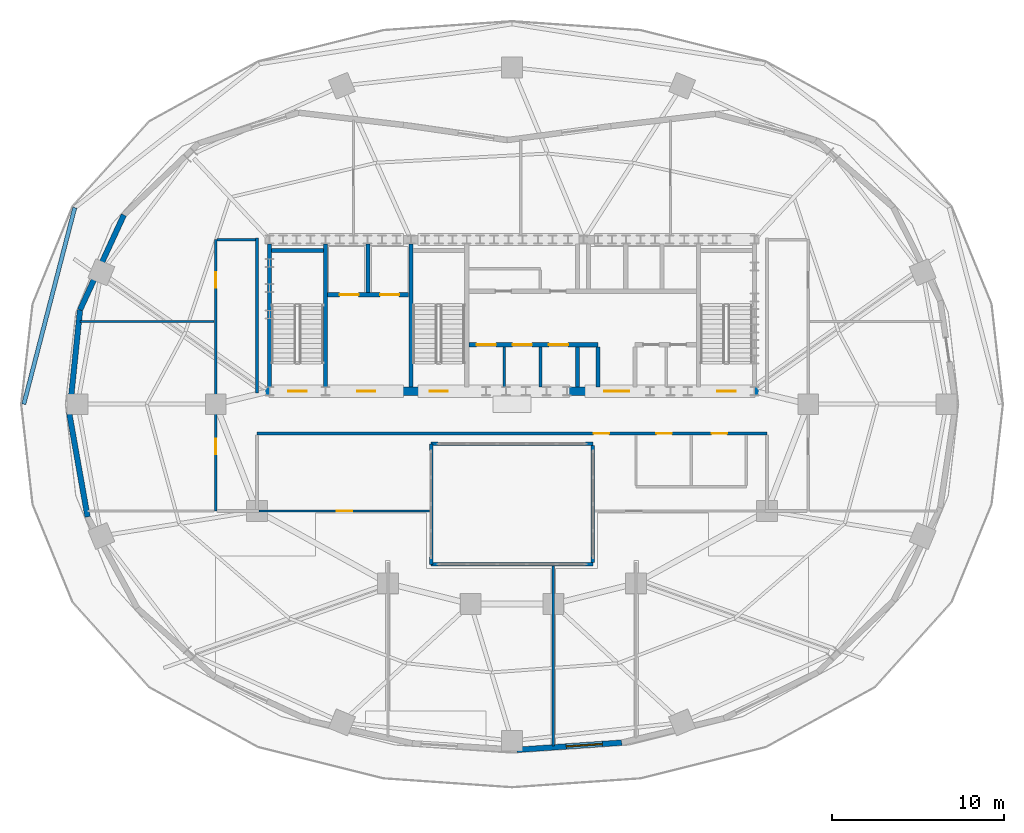
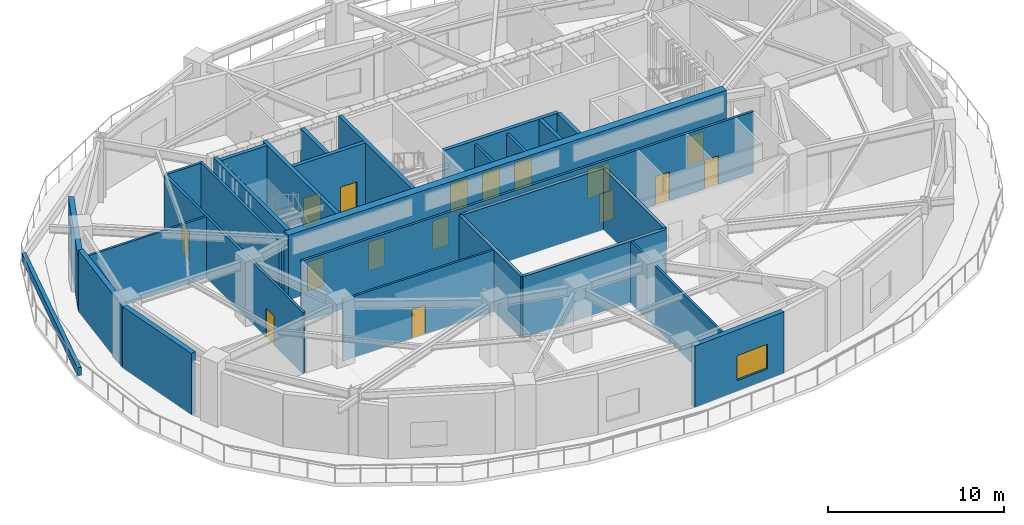
# One storey, part 6 of 11: 28 walls, 16 doors, 1 window, 17 openings.
"""IFC4 building model written with IfcOpenShell, lengths in metres."""

from ifc_helpers import new_model, si_unit, direction, frame, frame_2d, origin, place, context, subcontext, project, spatial, rectangle, extrude, material, layer, layer_set, type_object, element, fill, save


model = new_model("IFC4")

# Units and contexts
model_context = context("Model", 3, precision=1e-05, world=origin(), true_north=direction((0.0, 1.0)))
body_context = subcontext(model_context, "Body", "Model", "MODEL_VIEW")
ifc_project = project(units=[si_unit("LENGTHUNIT", "METRE"), si_unit("AREAUNIT", "SQUARE_METRE"), si_unit("VOLUMEUNIT", "CUBIC_METRE"), si_unit("PLANEANGLEUNIT", "RADIAN"), si_unit("MASSUNIT", "GRAM", prefix="KILO")], contexts=[model_context])

# Site, building, storey
site_placement = place(None, origin())
site = spatial("IfcSite", under=ifc_project, at=site_placement, CompositionType="ELEMENT")
building_placement = place(site_placement, origin())
building = spatial("IfcBuilding", under=site, at=building_placement, Name="Haldorwick Loom Tower", CompositionType="ELEMENT")
storey_placement = place(building_placement, frame((0.0, 0.0, 131.14990234375)))
storey = spatial("IfcBuildingStorey", under=building, at=storey_placement, Name="L35", CompositionType="ELEMENT", Elevation=131.14990234375)

# Walls
ifc_material_1 = material(Name="Pressed Clay Face Brick and Insulated Masonry Backup Assembly", Category="masonry")
ifc_layer_1 = layer(ifc_material_1, 0.320068359375, Name="Pressed Clay Face Brick and Insulated Masonry Backup Assembly", Category="masonry")
ifc_layer_set_1 = layer_set([ifc_layer_1], Name="Pressed Clay Face Brick and Insulated Masonry Backup Assembly")
wall_type_1 = type_object("IfcWallType", Name="ARC-WL-EXT320", PredefinedType="STANDARD", material=ifc_layer_set_1)
wall_1_placement = place(storey_placement, frame((13.472412109375, 36.982666015625, 0.0), z_axis=(0.0, 0.0, 1.0), x_axis=(-0.419545749689, -0.907734192326, 0.0)))
element("IfcWall", 1, at=wall_1_placement, inside=storey, type_object=wall_type_1, Name="L35 Brick Pier and Spandrel Wall 11", PredefinedType="STANDARD", context=body_context, shape_type="SweptSolid", body=[
    extrude(rectangle(XDim=6.064208984375, YDim=0.320068359375, at=frame_2d((3.0322265625, 0.0))), origin(), (0.0, 0.0, 1.0), 3.691162109375),
])
wall_2_placement = place(storey_placement, frame((10.92822265625, 31.47802734375, 0.0), z_axis=(0.0, 0.0, 1.0), x_axis=(-0.101915809111, -0.994793027646, 0.0)))
element("IfcWall", 2, at=wall_2_placement, inside=storey, type_object=wall_type_1, Name="L35 Brick Pier and Spandrel Wall 12", PredefinedType="STANDARD", context=body_context, shape_type="SweptSolid", body=[
    extrude(rectangle(XDim=6.082275390625, YDim=0.320068359375, at=frame_2d((3.041015625, 0.0))), origin(), (0.0, 0.0, 1.0), 4.260009765625),
])
wall_3_placement = place(storey_placement, frame((10.308349609375, 25.427490234375, 0.0), z_axis=(0.0, 0.0, 1.0), x_axis=(0.174320425513, -0.984688980973, 0.0)))
element("IfcWall", 3, at=wall_3_placement, inside=storey, type_object=wall_type_1, Name="L35 Brick Pier and Spandrel Wall 13", PredefinedType="STANDARD", context=body_context, shape_type="SweptSolid", body=[
    extrude(rectangle(XDim=6.064208984375, YDim=0.320068359375, at=frame_2d((3.0322265625, 0.0))), origin(), (0.0, 0.0, 1.0), 4.260009765625),
])

# Wall, opening, window
wall_4_placement = place(storey_placement, frame((36.286865234375, 5.935302734375, 0.0), z_axis=(0.0, 0.0, 1.0), x_axis=(0.997657363145, 0.068408959663, 0.0)))
wall_4 = element("IfcWall", 4, at=wall_4_placement, inside=storey, type_object=wall_type_1, Name="L35 Brick Pier and Spandrel Wall 19", PredefinedType="STANDARD", context=body_context, shape_type="SweptSolid", body=[
    extrude(rectangle(XDim=6.095458984375, YDim=0.320068359375, at=frame_2d((3.0478515625, 0.0))), origin(), (0.0, 0.0, 1.0), 4.260009765625),
])
opening_1_placement = place(wall_4_placement, frame((2.871826171875, 0.0, 0.75)))
opening_1 = element("IfcOpeningElement", 5, at=opening_1_placement, cuts=wall_4, Name="Opening W-04", PredefinedType="OPENING", context=body_context, shape_type="SweptSolid", body=[
    extrude(rectangle(XDim=2.10009765625, YDim=1.719970703125, at=frame_2d((1.050048828125, 0.85986328125))), frame((0.0, 0.169921875, 0.0), z_axis=(0.0, -1.0, 0.0), x_axis=(1.0, 0.0, 0.0)), (0.0, 0.0, 1.0), 0.340087890625),
])
ifc_material_2 = material(Name="Triple-Glazed Low-E Argon Insulated Glazing Unit", Category="glass")
window_type = type_object("IfcWindowType", Name="ARC-WIN-W210", PartitioningType="SINGLE_PANEL", PredefinedType="WINDOW", material=ifc_material_2)
window_placement = place(opening_1_placement, origin())
window = element("IfcWindow", 6, at=window_placement, inside=storey, type_object=window_type, Name="L35 Deep-Set Zone 7A Window 19", OverallHeight=1.719970703125, OverallWidth=2.10009765625, PartitioningType="SINGLE_PANEL", PredefinedType="WINDOW", context=body_context, shape_type="SweptSolid", body=[
    extrude(rectangle(XDim=2.10009765625, YDim=1.719970703125, at=frame_2d((1.050048828125, 0.85986328125))), frame((0.0, 0.030029296875, 0.0), z_axis=(0.0, -1.0, 0.0), x_axis=(1.0, 0.0, 0.0)), (0.0, 0.0, 1.0), 0.06005859375),
])
fill(opening_1, window)

# Wall, openings, doors
ifc_material_3 = material(Name="Fire-Rated Type X Gypsum Stud Assembly EI 60")
ifc_layer_2 = layer(ifc_material_3, 0.159912109375, Name="Fire-Rated Type X Gypsum Stud Assembly EI 60")
ifc_layer_set_2 = layer_set([ifc_layer_2], Name="Fire-Rated Type X Gypsum Stud Assembly EI 60")
wall_type_2 = type_object("IfcWallType", Name="ARC-WL-FIRE160", PredefinedType="PARTITIONING", material=ifc_layer_set_2)
wall_5_placement = place(storey_placement, frame((21.199951171875, 24.300048828125, 0.0), z_axis=(0.0, 0.0, 1.0), x_axis=(1.0, 0.0, 0.0)))
wall_5 = element("IfcWall", 7, at=wall_5_placement, inside=storey, type_object=wall_type_2, Name="L35 Interior Partition L35-CS", PredefinedType="PARTITIONING", context=body_context, shape_type="SweptSolid", body=[
    extrude(rectangle(XDim=29.60009765625, YDim=0.159912109375, at=frame_2d((14.800048828125, 0.0))), origin(), (0.0, 0.0, 1.0), 4.2451171875),
])
opening_2_placement = place(wall_5_placement, frame((19.5400390625, 0.0, 0.0)))
opening_2 = element("IfcOpeningElement", 8, at=opening_2_placement, cuts=wall_5, Name="Opening D-FD60A", PredefinedType="OPENING", context=body_context, shape_type="SweptSolid", body=[
    extrude(rectangle(XDim=0.89990234375, YDim=2.0, at=frame_2d((0.449951171875, 1.0))), frame((0.0, 0.08984375, 0.0), z_axis=(0.0, -1.0, 0.0), x_axis=(1.0, 0.0, 0.0)), (0.0, 0.0, 1.0), 0.179931640625),
])
opening_3_placement = place(wall_5_placement, frame((26.388916015625, 0.0, 0.0)))
opening_3 = element("IfcOpeningElement", 9, at=opening_3_placement, cuts=wall_5, Name="Opening D-FD60A", PredefinedType="OPENING", context=body_context, shape_type="SweptSolid", body=[
    extrude(rectangle(XDim=0.89990234375, YDim=2.0, at=frame_2d((0.449951171875, 1.0))), frame((0.0, 0.08984375, 0.0), z_axis=(0.0, -1.0, 0.0), x_axis=(1.0, 0.0, 0.0)), (0.0, 0.0, 1.0), 0.179931640625),
])
opening_4_placement = place(wall_5_placement, frame((23.185791015625, 0.0, 0.0)))
opening_4 = element("IfcOpeningElement", 10, at=opening_4_placement, cuts=wall_5, Name="Opening D-FD60A", PredefinedType="OPENING", context=body_context, shape_type="SweptSolid", body=[
    extrude(rectangle(XDim=0.89990234375, YDim=2.0, at=frame_2d((0.449951171875, 1.0))), frame((0.0, 0.08984375, 0.0), z_axis=(0.0, -1.0, 0.0), x_axis=(1.0, 0.0, 0.0)), (0.0, 0.0, 1.0), 0.179931640625),
])
ifc_material_4 = material(Name="Hollow Steel Fire Door Assembly", Category="steel")
door_type_1 = type_object("IfcDoorType", Name="ARC-DR-FD60-90", OperationType="NOTDEFINED", PredefinedType="DOOR", material=ifc_material_4)
door_1_placement = place(opening_2_placement, origin())
door_1 = element("IfcDoor", 11, at=door_1_placement, inside=storey, type_object=door_type_1, Name="L35 L35 Central Transfer Corridor to Community Yoga Hall 3 Door", OperationType="SINGLE_SWING_RIGHT", OverallHeight=2.0, OverallWidth=0.89990234375, PredefinedType="DOOR", context=body_context, shape_type="SweptSolid", body=[
    extrude(rectangle(XDim=0.89990234375, YDim=2.0, at=frame_2d((0.449951171875, 1.0))), frame((0.0, 0.02490234375, 0.0), z_axis=(0.0, -1.0, 0.0), x_axis=(1.0, 0.0, 0.0)), (0.0, 0.0, 1.0), 0.050048828125),
])
fill(opening_2, door_1)
door_2_placement = place(opening_3_placement, origin())
door_2 = element("IfcDoor", 12, at=door_2_placement, inside=storey, type_object=door_type_1, Name="L35 L35 Central Transfer Corridor to Accessible WC Door", OperationType="SINGLE_SWING_LEFT", OverallHeight=2.0, OverallWidth=0.89990234375, PredefinedType="DOOR", context=body_context, shape_type="SweptSolid", body=[
    extrude(rectangle(XDim=0.89990234375, YDim=2.0, at=frame_2d((0.449951171875, 1.0))), frame((0.0, 0.02490234375, 0.0), z_axis=(0.0, -1.0, 0.0), x_axis=(1.0, 0.0, 0.0)), (0.0, 0.0, 1.0), 0.050048828125),
])
fill(opening_3, door_2)
door_3_placement = place(opening_4_placement, origin())
door_3 = element("IfcDoor", 13, at=door_3_placement, inside=storey, type_object=door_type_1, Name="L35 L35 Central Transfer Corridor to Public Washroom Door", OperationType="SINGLE_SWING_RIGHT", OverallHeight=2.0, OverallWidth=0.89990234375, PredefinedType="DOOR", context=body_context, shape_type="SweptSolid", body=[
    extrude(rectangle(XDim=0.89990234375, YDim=2.0, at=frame_2d((0.449951171875, 1.0))), frame((0.0, 0.02490234375, 0.0), z_axis=(0.0, -1.0, 0.0), x_axis=(1.0, 0.0, 0.0)), (0.0, 0.0, 1.0), 0.050048828125),
])
fill(opening_4, door_3)

wall_6_placement = place(storey_placement, frame((18.800048828125, 19.800048828125, 0.0), z_axis=(0.0, 0.0, 1.0), x_axis=(0.0, 1.0, 0.0)))
wall_6 = element("IfcWall", 14, at=wall_6_placement, inside=storey, type_object=wall_type_2, Name="L35 Interior Partition L35-CW0", PredefinedType="PARTITIONING", context=body_context, shape_type="SweptSolid", body=[
    extrude(rectangle(XDim=15.75, YDim=0.159912109375, at=frame_2d((7.875, 0.0))), origin(), (0.0, 0.0, 1.0), 4.2451171875),
])
opening_5_placement = place(wall_6_placement, frame((3.288818359375, 0.0, 0.0)))
opening_5 = element("IfcOpeningElement", 15, at=opening_5_placement, cuts=wall_6, Name="Opening D-FD60A", PredefinedType="OPENING", context=body_context, shape_type="SweptSolid", body=[
    extrude(rectangle(XDim=0.89990234375, YDim=2.0, at=frame_2d((0.449951171875, 1.0))), frame((0.0, 0.08984375, 0.0), z_axis=(0.0, -1.0, 0.0), x_axis=(1.0, 0.0, 0.0)), (0.0, 0.0, 1.0), 0.179931640625),
])
opening_6_placement = place(wall_6_placement, frame((12.970703125, 0.0, 0.0)))
opening_6 = element("IfcOpeningElement", 16, at=opening_6_placement, cuts=wall_6, Name="Opening D-FD60A", PredefinedType="OPENING", context=body_context, shape_type="SweptSolid", body=[
    extrude(rectangle(XDim=0.89990234375, YDim=2.0, at=frame_2d((0.449951171875, 1.0))), frame((0.0, 0.08984375, 0.0), z_axis=(0.0, -1.0, 0.0), x_axis=(1.0, 0.0, 0.0)), (0.0, 0.0, 1.0), 0.179931640625),
])
door_4_placement = place(opening_5_placement, frame((0.89990234375, 0.0, 0.0), z_axis=(0.0, 0.0, 1.0), x_axis=(-1.0, 0.0, 0.0)))
door_4 = element("IfcDoor", 17, at=door_4_placement, inside=storey, type_object=door_type_1, Name="L35 Preventive Health Classroom 7 to L35 Central Transfer Corridor Door", OperationType="SINGLE_SWING_LEFT", OverallHeight=2.0, OverallWidth=0.89990234375, PredefinedType="DOOR", context=body_context, shape_type="SweptSolid", body=[
    extrude(rectangle(XDim=0.89990234375, YDim=2.0, at=frame_2d((0.449951171875, 1.0))), frame((0.0, 0.02490234375, 0.0), z_axis=(0.0, -1.0, 0.0), x_axis=(1.0, 0.0, 0.0)), (0.0, 0.0, 1.0), 0.050048828125),
])
fill(opening_5, door_4)
door_5_placement = place(opening_6_placement, frame((0.89990234375, 0.0, 0.0), z_axis=(0.0, 0.0, 1.0), x_axis=(-1.0, 0.0, 0.0)))
door_5 = element("IfcDoor", 18, at=door_5_placement, inside=storey, type_object=door_type_1, Name="L35 Wellness Consulting Office 10 to L35 Central Transfer Corridor Door", OperationType="SINGLE_SWING_LEFT", OverallHeight=2.0, OverallWidth=0.89990234375, PredefinedType="DOOR", context=body_context, shape_type="SweptSolid", body=[
    extrude(rectangle(XDim=0.89990234375, YDim=2.0, at=frame_2d((0.449951171875, 1.0))), frame((0.0, 0.02490234375, 0.0), z_axis=(0.0, -1.0, 0.0), x_axis=(1.0, 0.0, 0.0)), (0.0, 0.0, 1.0), 0.050048828125),
])
fill(opening_6, door_5)

# Walls
wall_7_placement = place(storey_placement, frame((21.199951171875, 26.64990234375, 0.0), z_axis=(0.0, 0.0, 1.0), x_axis=(0.0, 1.0, 0.0)))
element("IfcWall", 19, at=wall_7_placement, inside=storey, type_object=wall_type_2, Name="L35 Interior Partition L35-CW2", PredefinedType="PARTITIONING", context=body_context, shape_type="SweptSolid", body=[
    extrude(rectangle(XDim=9.0, YDim=0.159912109375, at=frame_2d((4.5, 0.0))), origin(), (0.0, 0.0, 1.0), 4.2451171875),
])
wall_8_placement = place(storey_placement, frame((18.883056640625, 35.550048828125, 0.0), z_axis=(0.0, 0.0, 1.0), x_axis=(1.0, 0.0, 0.0)))
element("IfcWall", 20, at=wall_8_placement, inside=storey, type_object=wall_type_2, Name="L35 Interior Partition L35-CWN", PredefinedType="PARTITIONING", context=body_context, shape_type="SweptSolid", body=[
    extrude(rectangle(XDim=2.23388671875, YDim=0.159912109375, at=frame_2d((1.116943359375, 0.0))), origin(), (0.0, 0.0, 1.0), 4.2451171875),
])
ifc_material_5 = material(Name="Fire-Rated Type X Gypsum Stud Assembly EI 120")
ifc_layer_3 = layer(ifc_material_5, 0.199951171875, Name="Fire-Rated Type X Gypsum Stud Assembly EI 120")
ifc_layer_set_3 = layer_set([ifc_layer_3], Name="Fire-Rated Type X Gypsum Stud Assembly EI 120")
wall_type_3 = type_object("IfcWallType", Name="ARC-WL-FIRE200", PredefinedType="PARTITIONING", material=ifc_layer_set_3)
for number, where, z_axis, x_axis, name in (
    (21, (31.300048828125, 23.699951171875, 0.0), (0.0, 0.0, 1.0), (1.0, 0.0, 0.0), "L35 Atrium Fire Wall"),
    (22, (40.699951171875, 16.699951171875, 0.0), (0.0, 0.0, 1.0), (-1.0, 0.0, 0.0), "L35 Atrium Fire Wall"),
):
    element("IfcWall", number, at=place(storey_placement, frame(where, z_axis=z_axis, x_axis=x_axis)), inside=storey, type_object=wall_type_3, Name=name, PredefinedType="PARTITIONING", context=body_context, shape_type="SweptSolid", body=[
        extrude(rectangle(XDim=9.39990234375, YDim=0.199951171875, at=frame_2d((4.699951171875, 0.0))), origin(), (0.0, 0.0, 1.0), 4.2451171875),
    ])
wall_9_placement = place(storey_placement, frame((31.300048828125, 16.699951171875, 0.0), z_axis=(0.0, 0.0, 1.0), x_axis=(0.0, 1.0, 0.0)))
element("IfcWall", 23, at=wall_9_placement, inside=storey, type_object=wall_type_3, Name="L35 Atrium Fire Wall", PredefinedType="PARTITIONING", context=body_context, shape_type="SweptSolid", body=[
    extrude(rectangle(XDim=7.0, YDim=0.199951171875, at=frame_2d((3.5, 0.0))), origin(), (0.0, 0.0, 1.0), 4.2451171875),
])
wall_10_placement = place(storey_placement, frame((40.699951171875, 23.596923828125, 0.0), z_axis=(0.0, 0.0, 1.0), x_axis=(0.0, -1.0, 0.0)))
element("IfcWall", 24, at=wall_10_placement, inside=storey, type_object=wall_type_3, Name="L35 Atrium Fire Wall", PredefinedType="PARTITIONING", context=body_context, shape_type="SweptSolid", body=[
    extrude(rectangle(XDim=6.7939453125, YDim=0.199951171875, at=frame_2d((3.39697265625, 0.0))), origin(), (0.0, 0.0, 1.0), 4.2451171875),
])
ifc_layer_4 = layer(ifc_material_1, 0.239990234375, Name="Pressed Clay Face Brick and Insulated Masonry Backup Assembly", Category="masonry")
ifc_layer_set_4 = layer_set([ifc_layer_4], Name="Pressed Clay Face Brick and Insulated Masonry Backup Assembly")
wall_type_4 = type_object("IfcWallType", Name="ARC-WL-PARAPET240", PredefinedType="PARAPET", material=ifc_layer_set_4)
wall_11_placement = place(storey_placement, frame((7.663818359375, 26.0, 0.0), z_axis=(0.0, 0.0, 1.0), x_axis=(0.251115299116, 0.967957182188, 0.0)))
element("IfcWall", 25, at=wall_11_placement, inside=storey, type_object=wall_type_4, Name="L35 Terrace Masonry Parapet 1", PredefinedType="PARAPET", context=body_context, shape_type="SweptSolid", body=[
    extrude(rectangle(XDim=11.784423828125, YDim=0.239990234375, at=frame_2d((5.89208984375, 0.0))), origin(), (0.0, 0.0, 1.0), 0.550048828125),
])
ifc_layer_5 = layer(ifc_material_3, 0.139892578125, Name="Fire-Rated Type X Gypsum Stud Assembly EI 60")
ifc_layer_set_5 = layer_set([ifc_layer_5], Name="Fire-Rated Type X Gypsum Stud Assembly EI 60")
wall_type_5 = type_object("IfcWallType", Name="ARC-WL-PART140", PredefinedType="PARTITIONING", material=ifc_layer_set_5)
wall_12_placement = place(storey_placement, frame((38.39990234375, 6.1455078125, 0.0), z_axis=(0.0, 0.0, 1.0), x_axis=(0.0, 1.0, 0.0)))
element("IfcWall", 26, at=wall_12_placement, inside=storey, type_object=wall_type_5, Name="L35 Interior Partition L35-S-1", PredefinedType="PARTITIONING", context=body_context, shape_type="SweptSolid", body=[
    extrude(rectangle(XDim=10.451416015625, YDim=0.139892578125, at=frame_2d((5.2255859375, 0.0))), origin(), (0.0, 0.0, 1.0), 4.2451171875),
])

# Wall, opening, door
wall_13_placement = place(storey_placement, frame((21.320068359375, 19.800048828125, 0.0), z_axis=(0.0, 0.0, 1.0), x_axis=(1.0, 0.0, 0.0)))
wall_13 = element("IfcWall", 27, at=wall_13_placement, inside=storey, type_object=wall_type_5, Name="L35 Interior Partition L35-WL-S", PredefinedType="PARTITIONING", context=body_context, shape_type="SweptSolid", body=[
    extrude(rectangle(XDim=9.876953125, YDim=0.139892578125, at=frame_2d((4.9384765625, 0.0))), origin(), (0.0, 0.0, 1.0), 4.2451171875),
])
opening_7_placement = place(wall_13_placement, frame((4.49853515625, 0.0, 0.0)))
opening_7 = element("IfcOpeningElement", 28, at=opening_7_placement, cuts=wall_13, Name="Opening D-FD60A", PredefinedType="OPENING", context=body_context, shape_type="SweptSolid", body=[
    extrude(rectangle(XDim=0.89990234375, YDim=2.0, at=frame_2d((0.449951171875, 1.0))), frame((0.0, 0.079833984375, 0.0), z_axis=(0.0, -1.0, 0.0), x_axis=(1.0, 0.0, 0.0)), (0.0, 0.0, 1.0), 0.159912109375),
])
door_6_placement = place(opening_7_placement, origin())
door_6 = element("IfcDoor", 29, at=door_6_placement, inside=storey, type_object=door_type_1, Name="L35 Community Yoga Hall 3 to Waist Terrace Fitness Gym 1 Door", OperationType="SINGLE_SWING_LEFT", OverallHeight=2.0, OverallWidth=0.89990234375, PredefinedType="DOOR", context=body_context, shape_type="SweptSolid", body=[
    extrude(rectangle(XDim=0.89990234375, YDim=2.0, at=frame_2d((0.449951171875, 1.0))), frame((0.0, 0.02490234375, 0.0), z_axis=(0.0, -1.0, 0.0), x_axis=(1.0, 0.0, 0.0)), (0.0, 0.0, 1.0), 0.050048828125),
])
fill(opening_7, door_6)

# Walls
wall_14_placement = place(storey_placement, frame((10.924072265625, 30.800048828125, 0.0), z_axis=(0.0, 0.0, 1.0), x_axis=(1.0, 0.0, 0.0)))
element("IfcWall", 30, at=wall_14_placement, inside=storey, type_object=wall_type_5, Name="L35 Interior Partition L35-WL-N", PredefinedType="PARTITIONING", context=body_context, shape_type="SweptSolid", body=[
    extrude(rectangle(XDim=7.79296875, YDim=0.139892578125, at=frame_2d((3.896484375, 0.0))), origin(), (0.0, 0.0, 1.0), 4.2451171875),
])
ifc_layer_6 = layer(ifc_material_5, 0.1650390625, Name="Fire-Rated Type X Gypsum Stud Assembly EI 120")
ifc_layer_set_6 = layer_set([ifc_layer_6], Name="Fire-Rated Type X Gypsum Stud Assembly EI 120")
wall_type_6 = type_object("IfcWallType", Name="ARC-WL-SHAFT160", PredefinedType="MOVABLE", material=ifc_layer_set_6)
for number, where, z_axis, x_axis, name in (
    (31, (35.550048828125, 27.0029296875, 0.0), (0.0, 0.0, 1.0), (0.0, 1.0, 0.0), "L35 Mid-Rise Hoistway Divider 1"),
    (32, (37.64990234375, 27.0029296875, 0.0), (0.0, 0.0, 1.0), (0.0, 1.0, 0.0), "L35 Mid-Rise Hoistway Divider 2"),
):
    element("IfcWall", number, at=place(storey_placement, frame(where, z_axis=z_axis, x_axis=x_axis)), inside=storey, type_object=wall_type_6, Name=name, PredefinedType="MOVABLE", context=body_context, shape_type="SweptSolid", body=[
        extrude(rectangle(XDim=2.323974609375, YDim=0.159912109375, at=frame_2d((1.162109375, 0.0))), origin(), (0.0, 0.0, 1.0), 4.2451171875),
    ])

# Wall, openings, doors
ifc_material_6 = material(Name="Concrete C60 (60 MPa)", Category="concrete")
ifc_layer_7 = layer(ifc_material_6, 0.5, Name="Concrete C60 (60 MPa)", Category="concrete")
ifc_layer_set_7 = layer_set([ifc_layer_7], Name="Concrete C60 (60 MPa)")
wall_type_7 = type_object("IfcWallType", Name="STR-WL-CORE500", PredefinedType="SHEAR", material=ifc_layer_set_7)
wall_15_placement = place(storey_placement, frame((21.64990234375, 26.75, 0.0), z_axis=(0.0, 0.0, 1.0), x_axis=(1.0, 0.0, 0.0)))
wall_15 = element("IfcWall", 33, at=wall_15_placement, inside=storey, type_object=wall_type_7, Name="L35 Core Shear Wall S", PredefinedType="SHEAR", context=body_context, shape_type="SweptSolid", body=[
    extrude(rectangle(XDim=28.7001953125, YDim=0.5, at=frame_2d((14.35009765625, 0.0))), origin(), (0.0, 0.0, 1.0), 4.5),
])
opening_8_placement = place(wall_15_placement, frame((1.375, 0.0, 0.0)))
opening_8 = element("IfcOpeningElement", 34, at=opening_8_placement, cuts=wall_15, Name="Opening D-FD60", PredefinedType="OPENING", context=body_context, shape_type="SweptSolid", body=[
    extrude(rectangle(XDim=1.050048828125, YDim=2.0, at=frame_2d((0.52490234375, 1.0))), frame((0.0, 0.260009765625, 0.0), z_axis=(0.0, -1.0, 0.0), x_axis=(1.0, 0.0, 0.0)), (0.0, 0.0, 1.0), 0.52001953125),
])
opening_9_placement = place(wall_15_placement, frame((5.375, 0.0, 0.0)))
opening_9 = element("IfcOpeningElement", 35, at=opening_9_placement, cuts=wall_15, Name="Opening D-FD60", PredefinedType="OPENING", context=body_context, shape_type="SweptSolid", body=[
    extrude(rectangle(XDim=1.050048828125, YDim=2.0, at=frame_2d((0.52490234375, 1.0))), frame((0.0, 0.260009765625, 0.0), z_axis=(0.0, -1.0, 0.0), x_axis=(1.0, 0.0, 0.0)), (0.0, 0.0, 1.0), 0.52001953125),
])
opening_10_placement = place(wall_15_placement, frame((9.574951171875, 0.0, 0.0)))
opening_10 = element("IfcOpeningElement", 36, at=opening_10_placement, cuts=wall_15, Name="Opening D-FD60", PredefinedType="OPENING", context=body_context, shape_type="SweptSolid", body=[
    extrude(rectangle(XDim=1.050048828125, YDim=2.0, at=frame_2d((0.52490234375, 1.0))), frame((0.0, 0.260009765625, 0.0), z_axis=(0.0, -1.0, 0.0), x_axis=(1.0, 0.0, 0.0)), (0.0, 0.0, 1.0), 0.52001953125),
])
opening_11_placement = place(wall_15_placement, frame((19.705078125, 0.0, 0.0)))
opening_11 = element("IfcOpeningElement", 37, at=opening_11_placement, cuts=wall_15, Name="Opening D-LB15", PredefinedType="OPENING", context=body_context, shape_type="SweptSolid", body=[
    extrude(rectangle(XDim=1.449951171875, YDim=2.0, at=frame_2d((0.72509765625, 1.0))), frame((0.0, 0.260009765625, 0.0), z_axis=(0.0, -1.0, 0.0), x_axis=(1.0, 0.0, 0.0)), (0.0, 0.0, 1.0), 0.52001953125),
])
opening_12_placement = place(wall_15_placement, frame((26.27490234375, 0.0, 0.0)))
opening_12 = element("IfcOpeningElement", 38, at=opening_12_placement, cuts=wall_15, Name="Opening D-FD60", PredefinedType="OPENING", context=body_context, shape_type="SweptSolid", body=[
    extrude(rectangle(XDim=1.050048828125, YDim=2.0, at=frame_2d((0.52490234375, 1.0))), frame((0.0, 0.260009765625, 0.0), z_axis=(0.0, -1.0, 0.0), x_axis=(1.0, 0.0, 0.0)), (0.0, 0.0, 1.0), 0.52001953125),
])
door_type_2 = type_object("IfcDoorType", Name="ARC-DR-FD60", OperationType="NOTDEFINED", PredefinedType="DOOR", material=ifc_material_4)
door_7_placement = place(opening_8_placement, origin())
door_7 = element("IfcDoor", 39, at=door_7_placement, inside=storey, type_object=door_type_2, Name="L35 Exit Stair ST-01 Fire Door", OperationType="SINGLE_SWING_LEFT", OverallHeight=2.0, OverallWidth=1.050048828125, PredefinedType="DOOR", context=body_context, shape_type="SweptSolid", body=[
    extrude(rectangle(XDim=1.050048828125, YDim=2.0, at=frame_2d((0.52490234375, 1.0))), frame((0.0, 0.02490234375, 0.0), z_axis=(0.0, -1.0, 0.0), x_axis=(1.0, 0.0, 0.0)), (0.0, 0.0, 1.0), 0.050048828125),
])
fill(opening_8, door_7)
door_8_placement = place(opening_9_placement, origin())
door_8 = element("IfcDoor", 40, at=door_8_placement, inside=storey, type_object=door_type_2, Name="L35 Firefighting Lift Lobby Fire Door", OperationType="SINGLE_SWING_RIGHT", OverallHeight=2.0, OverallWidth=1.050048828125, PredefinedType="DOOR", context=body_context, shape_type="SweptSolid", body=[
    extrude(rectangle(XDim=1.050048828125, YDim=2.0, at=frame_2d((0.52490234375, 1.0))), frame((0.0, 0.02490234375, 0.0), z_axis=(0.0, -1.0, 0.0), x_axis=(1.0, 0.0, 0.0)), (0.0, 0.0, 1.0), 0.050048828125),
])
fill(opening_9, door_8)
door_9_placement = place(opening_10_placement, origin())
door_9 = element("IfcDoor", 41, at=door_9_placement, inside=storey, type_object=door_type_2, Name="L35 Exit Stair ST-03 Fire Door", OperationType="SINGLE_SWING_LEFT", OverallHeight=2.0, OverallWidth=1.050048828125, PredefinedType="DOOR", context=body_context, shape_type="SweptSolid", body=[
    extrude(rectangle(XDim=1.050048828125, YDim=2.0, at=frame_2d((0.52490234375, 1.0))), frame((0.0, 0.02490234375, 0.0), z_axis=(0.0, -1.0, 0.0), x_axis=(1.0, 0.0, 0.0)), (0.0, 0.0, 1.0), 0.050048828125),
])
fill(opening_10, door_9)
door_10_placement = place(opening_12_placement, origin())
door_10 = element("IfcDoor", 42, at=door_10_placement, inside=storey, type_object=door_type_2, Name="L35 Exit Stair ST-02 Fire Door", OperationType="SINGLE_SWING_LEFT", OverallHeight=2.0, OverallWidth=1.050048828125, PredefinedType="DOOR", context=body_context, shape_type="SweptSolid", body=[
    extrude(rectangle(XDim=1.050048828125, YDim=2.0, at=frame_2d((0.52490234375, 1.0))), frame((0.0, 0.02490234375, 0.0), z_axis=(0.0, -1.0, 0.0), x_axis=(1.0, 0.0, 0.0)), (0.0, 0.0, 1.0), 0.050048828125),
])
fill(opening_12, door_10)
ifc_material_7 = material(Name="Thermally Broken Anodized Aluminium and Tempered Glass", Category="aluminium")
door_type_3 = type_object("IfcDoorType", Name="ARC-DR-LOB150", OperationType="NOTDEFINED", PredefinedType="DOOR", material=ifc_material_7)
door_11_placement = place(opening_11_placement, frame((1.449951171875, 0.0, 0.0), z_axis=(0.0, 0.0, 1.0), x_axis=(-1.0, 0.0, 0.0)))
door_11 = element("IfcDoor", 43, at=door_11_placement, inside=storey, type_object=door_type_3, Name="L35 Passenger Lift Lobby Fire Door", OperationType="DOUBLE_DOOR_SINGLE_SWING", OverallHeight=2.0, OverallWidth=1.449951171875, PredefinedType="DOOR", context=body_context, shape_type="SweptSolid", body=[
    extrude(rectangle(XDim=1.449951171875, YDim=2.0, at=frame_2d((0.72509765625, 1.0))), frame((0.0, 0.02490234375, 0.0), z_axis=(0.0, -1.0, 0.0), x_axis=(1.0, 0.0, 0.0)), (0.0, 0.0, 1.0), 0.050048828125),
])
fill(opening_11, door_11)

# Walls
ifc_material_8 = material(Name="Concrete C50 (50 MPa)", Category="concrete")
ifc_layer_8 = layer(ifc_material_8, 0.239990234375, Name="Concrete C50 (50 MPa)", Category="concrete")
ifc_layer_set_8 = layer_set([ifc_layer_8], Name="Concrete C50 (50 MPa)")
wall_type_8 = type_object("IfcWallType", Name="STR-WL-SHAFT240", PredefinedType="SHEAR", material=ifc_layer_set_8)
for number, where, z_axis, x_axis, name in (
    (44, (21.929931640625, 35.297119140625, 0.0), (0.0, 0.0, 1.0), (0.0, -1.0, 0.0), "L35 Core Shear Wall W"),
    (45, (25.169921875, 27.0029296875, 0.0), (0.0, 0.0, 1.0), (0.0, 1.0, 0.0), "L35 Core Shear Wall 1"),
):
    element("IfcWall", number, at=place(storey_placement, frame(where, z_axis=z_axis, x_axis=x_axis)), inside=storey, type_object=wall_type_8, Name=name, PredefinedType="SHEAR", context=body_context, shape_type="SweptSolid", body=[
        extrude(rectangle(XDim=8.294189453125, YDim=0.239990234375, at=frame_2d((4.14697265625, 0.0))), origin(), (0.0, 0.0, 1.0), 4.5),
    ])
wall_16_placement = place(storey_placement, frame((22.052978515625, 34.919921875, 0.0), z_axis=(0.0, 0.0, 1.0), x_axis=(1.0, 0.0, 0.0)))
element("IfcWall", 46, at=wall_16_placement, inside=storey, type_object=wall_type_8, Name="L35 Core Shear Wall 1N", PredefinedType="SHEAR", context=body_context, shape_type="SweptSolid", body=[
    extrude(rectangle(XDim=2.994140625, YDim=0.239990234375, at=frame_2d((1.4970703125, 0.0))), origin(), (0.0, 0.0, 1.0), 4.5),
])
wall_17_placement = place(storey_placement, frame((30.1298828125, 27.0029296875, 0.0), z_axis=(0.0, 0.0, 1.0), x_axis=(0.0, 1.0, 0.0)))
element("IfcWall", 47, at=wall_17_placement, inside=storey, type_object=wall_type_8, Name="L35 Core Shear Wall 2", PredefinedType="SHEAR", context=body_context, shape_type="SweptSolid", body=[
    extrude(rectangle(XDim=8.294189453125, YDim=0.239990234375, at=frame_2d((4.14697265625, 0.0))), origin(), (0.0, 0.0, 1.0), 4.5),
])

# Wall, openings, doors
wall_18_placement = place(storey_placement, frame((25.29296875, 32.35009765625, 0.0), z_axis=(0.0, 0.0, 1.0), x_axis=(1.0, 0.0, 0.0)))
wall_18 = element("IfcWall", 48, at=wall_18_placement, inside=storey, type_object=wall_type_8, Name="L35 Core Shear Wall FF", PredefinedType="SHEAR", context=body_context, shape_type="SweptSolid", body=[
    extrude(rectangle(XDim=4.714111328125, YDim=0.239990234375, at=frame_2d((2.35693359375, 0.0))), origin(), (0.0, 0.0, 1.0), 4.5),
])
opening_13_placement = place(wall_18_placement, frame((0.70703125, 0.0, 0.0)))
opening_13 = element("IfcOpeningElement", 49, at=opening_13_placement, cuts=wall_18, Name="Opening LD-FF1", PredefinedType="OPENING", context=body_context, shape_type="SweptSolid", body=[
    extrude(rectangle(XDim=1.10009765625, YDim=2.0, at=frame_2d((0.550048828125, 1.0))), frame((0.0, 0.1298828125, 0.0), z_axis=(0.0, -1.0, 0.0), x_axis=(1.0, 0.0, 0.0)), (0.0, 0.0, 1.0), 0.260009765625),
])
opening_14_placement = place(wall_18_placement, frame((3.056884765625, 0.0, 0.0)))
opening_14 = element("IfcOpeningElement", 50, at=opening_14_placement, cuts=wall_18, Name="Opening LD-FF2", PredefinedType="OPENING", context=body_context, shape_type="SweptSolid", body=[
    extrude(rectangle(XDim=1.10009765625, YDim=2.0, at=frame_2d((0.550048828125, 1.0))), frame((0.0, 0.1298828125, 0.0), z_axis=(0.0, -1.0, 0.0), x_axis=(1.0, 0.0, 0.0)), (0.0, 0.0, 1.0), 0.260009765625),
])
door_type_4 = type_object("IfcDoorType", Name="ARC-DR-LD-FF", OperationType="NOTDEFINED", PredefinedType="USERDEFINED", material=ifc_material_4)
door_12_placement = place(opening_13_placement, origin())
door_12 = element("IfcDoor", 51, at=door_12_placement, inside=storey, type_object=door_type_4, Name="L35 Lift LF-FF1 Sliding Landing Door", ObjectType="LANDING DOOR", OperationType="DOUBLE_DOOR_SLIDING", OverallHeight=2.0, OverallWidth=1.10009765625, PredefinedType="USERDEFINED", context=body_context, shape_type="SweptSolid", body=[
    extrude(rectangle(XDim=1.10009765625, YDim=2.0, at=frame_2d((0.550048828125, 1.0))), frame((0.0, 0.02490234375, 0.0), z_axis=(0.0, -1.0, 0.0), x_axis=(1.0, 0.0, 0.0)), (0.0, 0.0, 1.0), 0.050048828125),
])
fill(opening_13, door_12)
door_13_placement = place(opening_14_placement, origin())
door_13 = element("IfcDoor", 52, at=door_13_placement, inside=storey, type_object=door_type_4, Name="L35 Lift LF-FF2 Sliding Landing Door", ObjectType="LANDING DOOR", OperationType="DOUBLE_DOOR_SLIDING", OverallHeight=2.0, OverallWidth=1.10009765625, PredefinedType="USERDEFINED", context=body_context, shape_type="SweptSolid", body=[
    extrude(rectangle(XDim=1.10009765625, YDim=2.0, at=frame_2d((0.550048828125, 1.0))), frame((0.0, 0.02490234375, 0.0), z_axis=(0.0, -1.0, 0.0), x_axis=(1.0, 0.0, 0.0)), (0.0, 0.0, 1.0), 0.050048828125),
])
fill(opening_14, door_13)

# Wall
wall_19_placement = place(storey_placement, frame((27.64990234375, 32.472900390625, 0.0), z_axis=(0.0, 0.0, 1.0), x_axis=(0.0, 1.0, 0.0)))
element("IfcWall", 53, at=wall_19_placement, inside=storey, type_object=wall_type_8, Name="L35 Core Shear Wall FFD", PredefinedType="SHEAR", context=body_context, shape_type="SweptSolid", body=[
    extrude(rectangle(XDim=2.82421875, YDim=0.239990234375, at=frame_2d((1.412109375, 0.0))), origin(), (0.0, 0.0, 1.0), 4.5),
])

# Wall, openings, doors
wall_20_placement = place(storey_placement, frame((33.492919921875, 29.449951171875, 0.0), z_axis=(0.0, 0.0, 1.0), x_axis=(1.0, 0.0, 0.0)))
wall_20 = element("IfcWall", 54, at=wall_20_placement, inside=storey, type_object=wall_type_8, Name="L35 Core Shear Wall LS1", PredefinedType="SHEAR", context=body_context, shape_type="SweptSolid", body=[
    extrude(rectangle(XDim=7.507080078125, YDim=0.239990234375, at=frame_2d((3.75341796875, 0.0))), origin(), (0.0, 0.0, 1.0), 4.5),
])
opening_15_placement = place(wall_20_placement, frame((0.447021484375, 0.0, 0.0)))
opening_15 = element("IfcOpeningElement", 55, at=opening_15_placement, cuts=wall_20, Name="Opening LD-M1", PredefinedType="OPENING", context=body_context, shape_type="SweptSolid", body=[
    extrude(rectangle(XDim=1.1201171875, YDim=2.0, at=frame_2d((0.56005859375, 1.0))), frame((0.0, 0.1298828125, 0.0), z_axis=(0.0, -1.0, 0.0), x_axis=(1.0, 0.0, 0.0)), (0.0, 0.0, 1.0), 0.260009765625),
])
opening_16_placement = place(wall_20_placement, frame((2.547119140625, 0.0, 0.0)))
opening_16 = element("IfcOpeningElement", 56, at=opening_16_placement, cuts=wall_20, Name="Opening LD-M2", PredefinedType="OPENING", context=body_context, shape_type="SweptSolid", body=[
    extrude(rectangle(XDim=1.1201171875, YDim=2.0, at=frame_2d((0.56005859375, 1.0))), frame((0.0, 0.1298828125, 0.0), z_axis=(0.0, -1.0, 0.0), x_axis=(1.0, 0.0, 0.0)), (0.0, 0.0, 1.0), 0.260009765625),
])
opening_17_placement = place(wall_20_placement, frame((4.64697265625, 0.0, 0.0)))
opening_17 = element("IfcOpeningElement", 57, at=opening_17_placement, cuts=wall_20, Name="Opening LD-M3", PredefinedType="OPENING", context=body_context, shape_type="SweptSolid", body=[
    extrude(rectangle(XDim=1.1201171875, YDim=2.0, at=frame_2d((0.56005859375, 1.0))), frame((0.0, 0.1298828125, 0.0), z_axis=(0.0, -1.0, 0.0), x_axis=(1.0, 0.0, 0.0)), (0.0, 0.0, 1.0), 0.260009765625),
])
door_type_5 = type_object("IfcDoorType", Name="ARC-DR-LD-PAX", OperationType="NOTDEFINED", PredefinedType="USERDEFINED", material=ifc_material_4)
door_14_placement = place(opening_15_placement, origin())
door_14 = element("IfcDoor", 58, at=door_14_placement, inside=storey, type_object=door_type_5, Name="L35 Lift LF-M1 Sliding Landing Door", ObjectType="LANDING DOOR", OperationType="DOUBLE_DOOR_SLIDING", OverallHeight=2.0, OverallWidth=1.1201171875, PredefinedType="USERDEFINED", context=body_context, shape_type="SweptSolid", body=[
    extrude(rectangle(XDim=1.1201171875, YDim=2.0, at=frame_2d((0.56005859375, 1.0))), frame((0.0, 0.02490234375, 0.0), z_axis=(0.0, -1.0, 0.0), x_axis=(1.0, 0.0, 0.0)), (0.0, 0.0, 1.0), 0.050048828125),
])
fill(opening_15, door_14)
door_15_placement = place(opening_16_placement, origin())
door_15 = element("IfcDoor", 59, at=door_15_placement, inside=storey, type_object=door_type_5, Name="L35 Lift LF-M2 Sliding Landing Door", ObjectType="LANDING DOOR", OperationType="DOUBLE_DOOR_SLIDING", OverallHeight=2.0, OverallWidth=1.1201171875, PredefinedType="USERDEFINED", context=body_context, shape_type="SweptSolid", body=[
    extrude(rectangle(XDim=1.1201171875, YDim=2.0, at=frame_2d((0.56005859375, 1.0))), frame((0.0, 0.02490234375, 0.0), z_axis=(0.0, -1.0, 0.0), x_axis=(1.0, 0.0, 0.0)), (0.0, 0.0, 1.0), 0.050048828125),
])
fill(opening_16, door_15)
door_16_placement = place(opening_17_placement, origin())
door_16 = element("IfcDoor", 60, at=door_16_placement, inside=storey, type_object=door_type_5, Name="L35 Lift LF-M3 Sliding Landing Door", ObjectType="LANDING DOOR", OperationType="DOUBLE_DOOR_SLIDING", OverallHeight=2.0, OverallWidth=1.1201171875, PredefinedType="USERDEFINED", context=body_context, shape_type="SweptSolid", body=[
    extrude(rectangle(XDim=1.1201171875, YDim=2.0, at=frame_2d((0.56005859375, 1.0))), frame((0.0, 0.02490234375, 0.0), z_axis=(0.0, -1.0, 0.0), x_axis=(1.0, 0.0, 0.0)), (0.0, 0.0, 1.0), 0.050048828125),
])
fill(opening_17, door_16)

# Walls
for number, where, z_axis, x_axis, name in (
    (61, (41.0, 27.0029296875, 0.0), (0.0, 0.0, 1.0), (0.0, 1.0, 0.0), "L35 Core Shear Wall THW"),
    (62, (39.800048828125, 27.0029296875, 0.0), (0.0, 0.0, 1.0), (0.0, 1.0, 0.0), "L35 Core Shear Wall MRW"),
):
    element("IfcWall", number, at=place(storey_placement, frame(where, z_axis=z_axis, x_axis=x_axis)), inside=storey, type_object=wall_type_8, Name=name, PredefinedType="SHEAR", context=body_context, shape_type="SweptSolid", body=[
        extrude(rectangle(XDim=2.323974609375, YDim=0.239990234375, at=frame_2d((1.162109375, 0.0))), origin(), (0.0, 0.0, 1.0), 4.5),
    ])

save(model, "model.ifc")
